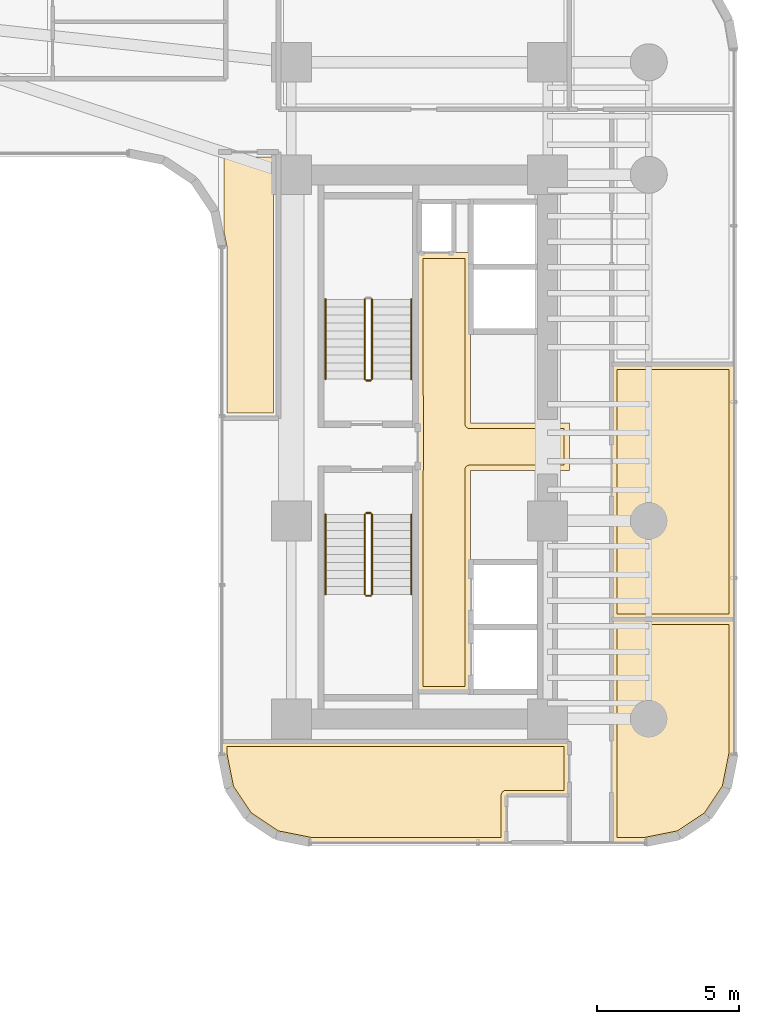
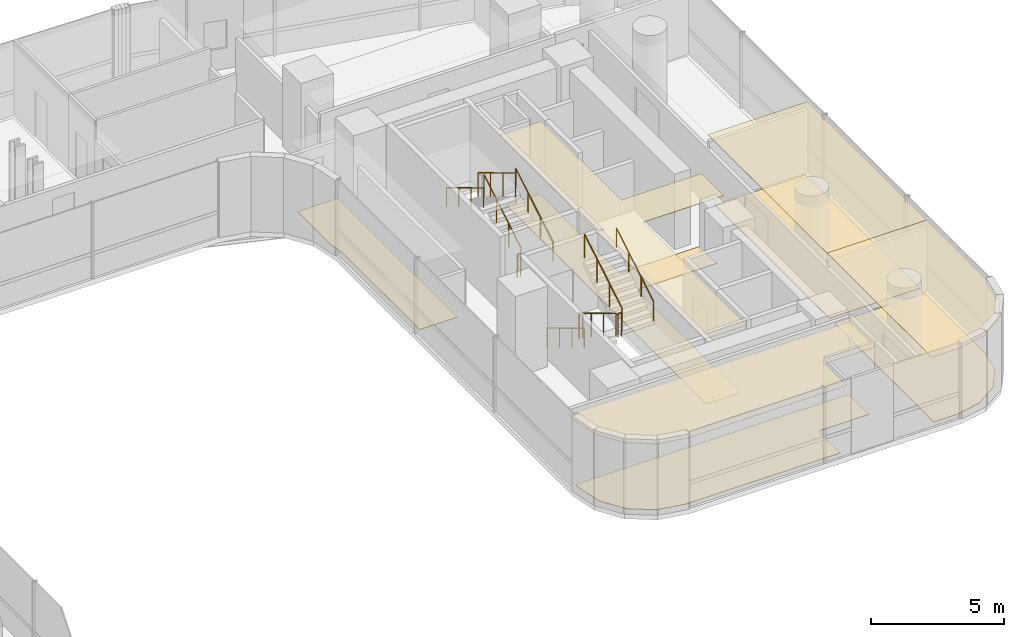
# One storey, part 39 of 42: 11 railings, 9 coverings.
"""IFC4 building model written with IfcOpenShell, lengths in metres."""

from ifc_helpers import new_model, si_unit, direction, frame, origin, origin_2d, place, context, subcontext, project, spatial, polyline, circle, outline, extrude, material, layer, layer_set, type_object, element, save


model = new_model("IFC4")

# Units and contexts
model_context = context("Model", 3, precision=1e-05, world=origin(), true_north=direction((0.0, 1.0)))
body_context = subcontext(model_context, "Body", "Model", "MODEL_VIEW")
ifc_project = project(units=[si_unit("LENGTHUNIT", "METRE"), si_unit("AREAUNIT", "SQUARE_METRE"), si_unit("VOLUMEUNIT", "CUBIC_METRE"), si_unit("PLANEANGLEUNIT", "RADIAN"), si_unit("MASSUNIT", "GRAM", prefix="KILO")], contexts=[model_context])

# Site, building, storey
site_placement = place(None, origin())
site = spatial("IfcSite", under=ifc_project, at=site_placement, CompositionType="ELEMENT")
building_placement = place(site_placement, origin())
building = spatial("IfcBuilding", under=site, at=building_placement, Name="Valdorenza Pilgrim Sanctuary Tower", CompositionType="ELEMENT")
storey_placement = place(building_placement, frame((0.0, 0.0, 55.60009765625)))
storey = spatial("IfcBuildingStorey", under=building, at=storey_placement, Name="L13", CompositionType="ELEMENT", Elevation=55.60009765625)

# Coverings
ifc_material_1 = material(Name="Micro-perforated acoustic mineral ceiling tile", Category="gypsum")
ifc_layer_1 = layer(ifc_material_1, 0.02490234375, Name="Micro-perforated acoustic mineral ceiling tile")
ifc_layer_set_1 = layer_set([ifc_layer_1], Name="Micro-perforated acoustic mineral ceiling tile")
covering_type_1 = type_object("IfcCoveringType", Name="COV-CLG-ACU", PredefinedType="CEILING", material=ifc_layer_set_1)
covering_1_placement = place(storey_placement, frame((0.0, 0.0, 3.159912109375)))
element("IfcCovering", 1, at=covering_1_placement, inside=storey, type_object=covering_type_1, Name="L13 Core B Passenger Lift Lobby Acoustic Ceiling", PredefinedType="CEILING", context=body_context, shape_type="SweptSolid", body=[
    extrude(outline(polyline([(20.287109375, -0.814697265625), (20.287109375, 0.814697265625), (20.28662109375, 0.815185546875), (20.2861328125, 0.81640625), (20.28564453125, 0.81787109375), (20.285400390625, 0.819091796875), (20.28515625, 0.820556640625), (20.284912109375, 0.822021484375), (20.284912109375, 6.800048828125), (20.28515625, 6.801513671875), (20.285400390625, 6.802978515625), (20.28564453125, 6.804443359375), (20.2861328125, 6.8056640625), (20.286865234375, 6.80712890625), (20.28759765625, 6.808349609375), (20.288330078125, 6.8095703125), (20.289306640625, 6.810546875), (20.29052734375, 6.8115234375), (20.291748046875, 6.8125), (20.29296875, 6.813232421875), (20.294189453125, 6.81396484375), (20.295654296875, 6.814453125), (20.297119140625, 6.814697265625), (20.298583984375, 6.81494140625), (20.300048828125, 6.81494140625), (20.347900390625, 6.81494140625), (20.349365234375, 6.81494140625), (20.350830078125, 6.814697265625), (20.352294921875, 6.814453125), (20.353515625, 6.81396484375), (20.35498046875, 6.813232421875), (20.35546875, 6.81298828125), (21.544677734375, 6.81298828125), (21.545166015625, 6.813232421875), (21.54638671875, 6.81396484375), (21.5478515625, 6.814453125), (21.54931640625, 6.814697265625), (21.550537109375, 6.81494140625), (21.552001953125, 6.81494140625), (22.1201171875, 6.81494140625), (22.12158203125, 6.81494140625), (22.122802734375, 6.814697265625), (22.12451171875, 6.814453125), (22.125732421875, 6.81396484375), (22.127197265625, 6.813232421875), (22.12841796875, 6.8125), (22.12939453125, 6.8115234375), (22.130615234375, 6.810546875), (22.131591796875, 6.8095703125), (22.132568359375, 6.808349609375), (22.13330078125, 6.80712890625), (22.1337890625, 6.8056640625), (22.134521484375, 6.804443359375), (22.134765625, 6.802978515625), (22.135009765625, 6.801513671875), (22.135009765625, 6.800048828125), (22.135009765625, 0.8349609375), (25.60009765625, 0.8349609375), (25.6015625, 0.8349609375), (25.602783203125, 0.834716796875), (25.6044921875, 0.83447265625), (25.605712890625, 0.833984375), (25.607177734375, 0.833251953125), (25.6083984375, 0.83251953125), (25.609619140625, 0.83154296875), (25.610595703125, 0.83056640625), (25.611572265625, 0.82958984375), (25.612548828125, 0.828369140625), (25.61328125, 0.8271484375), (25.614013671875, 0.82568359375), (25.614501953125, 0.824462890625), (25.61474609375, 0.822998046875), (25.614990234375, 0.821533203125), (25.614990234375, 0.820068359375), (25.614990234375, -0.820068359375), (25.614990234375, -0.821533203125), (25.61474609375, -0.822998046875), (25.614501953125, -0.824462890625), (25.614013671875, -0.82568359375), (25.61328125, -0.8271484375), (25.612548828125, -0.828369140625), (25.611572265625, -0.82958984375), (25.610595703125, -0.83056640625), (25.609619140625, -0.83154296875), (25.6083984375, -0.83251953125), (25.607177734375, -0.833251953125), (25.605712890625, -0.833984375), (25.6044921875, -0.83447265625), (25.602783203125, -0.834716796875), (25.6015625, -0.8349609375), (25.60009765625, -0.8349609375), (22.135009765625, -0.8349609375), (22.135009765625, -8.60009765625), (22.135009765625, -8.6015625), (22.134765625, -8.602783203125), (22.134521484375, -8.6044921875), (22.1337890625, -8.605712890625), (22.13330078125, -8.607177734375), (22.132568359375, -8.6083984375), (22.131591796875, -8.609619140625), (22.130615234375, -8.610595703125), (22.12939453125, -8.611572265625), (22.12841796875, -8.612548828125), (22.127197265625, -8.61328125), (22.125732421875, -8.614013671875), (22.12451171875, -8.614501953125), (22.122802734375, -8.61474609375), (22.12158203125, -8.614990234375), (22.1201171875, -8.614990234375), (20.300048828125, -8.614990234375), (20.298583984375, -8.614990234375), (20.297119140625, -8.61474609375), (20.295654296875, -8.614501953125), (20.294189453125, -8.614013671875), (20.29296875, -8.61328125), (20.291748046875, -8.612548828125), (20.29052734375, -8.611572265625), (20.289306640625, -8.610595703125), (20.288330078125, -8.609619140625), (20.28759765625, -8.6083984375), (20.286865234375, -8.607177734375), (20.2861328125, -8.605712890625), (20.28564453125, -8.6044921875), (20.285400390625, -8.602783203125), (20.28515625, -8.6015625), (20.284912109375, -8.60009765625), (20.284912109375, -0.822021484375), (20.28515625, -0.820556640625), (20.285400390625, -0.819091796875), (20.28564453125, -0.81787109375), (20.2861328125, -0.81640625), (20.28662109375, -0.815185546875), (20.287109375, -0.814697265625)])), origin(), (0.0, 0.0, 1.0), 0.02490234375),
])
covering_2_placement = place(storey_placement, frame((0.0, 0.0, 3.159912109375)))
element("IfcCovering", 2, at=covering_2_placement, inside=storey, type_object=covering_type_1, Name="L13 East South Guest Room L13-ES1 Acoustic Ceiling", PredefinedType="CEILING", context=body_context, shape_type="SweptSolid", body=[
    extrude(outline(polyline([(23.4130859375, -12.2529296875), (23.4130859375, -13.889892578125), (23.412841796875, -13.8916015625), (23.41259765625, -13.892822265625), (23.412353515625, -13.894287109375), (23.411865234375, -13.895751953125), (23.4111328125, -13.897216796875), (23.410400390625, -13.898193359375), (23.40966796875, -13.8994140625), (23.40869140625, -13.900634765625), (23.407470703125, -13.901611328125), (23.40625, -13.902587890625), (23.405029296875, -13.9033203125), (23.40380859375, -13.90380859375), (23.40234375, -13.904296875), (23.40087890625, -13.90478515625), (23.3994140625, -13.90478515625), (23.39794921875, -13.905029296875), (16.5107421875, -13.905029296875), (16.509521484375, -13.90478515625), (16.5078125, -13.90478515625), (15.3154296875, -13.66748046875), (15.31396484375, -13.6669921875), (15.3125, -13.66650390625), (15.311279296875, -13.666015625), (15.31005859375, -13.665283203125), (14.308349609375, -12.995849609375), (14.30712890625, -12.9951171875), (14.305908203125, -12.993896484375), (14.304931640625, -12.992919921875), (14.30419921875, -12.99169921875), (13.634765625, -11.989990234375), (13.634033203125, -11.98876953125), (13.63330078125, -11.9873046875), (13.6328125, -11.986083984375), (13.632568359375, -11.984619140625), (13.395263671875, -10.7919921875), (13.39501953125, -10.79052734375), (13.39501953125, -10.789306640625), (13.39501953125, -10.35009765625), (13.39501953125, -10.348388671875), (13.395263671875, -10.34716796875), (13.3955078125, -10.345703125), (13.39599609375, -10.34423828125), (13.396728515625, -10.343017578125), (13.3974609375, -10.341796875), (13.3984375, -10.340576171875), (13.3994140625, -10.33935546875), (13.400390625, -10.33837890625), (13.401611328125, -10.33740234375), (13.40283203125, -10.3369140625), (13.404296875, -10.336181640625), (13.405517578125, -10.335693359375), (13.406982421875, -10.335205078125), (13.408447265625, -10.335205078125), (13.409912109375, -10.3349609375), (25.60009765625, -10.3349609375), (25.6015625, -10.335205078125), (25.602783203125, -10.335205078125), (25.6044921875, -10.335693359375), (25.605712890625, -10.336181640625), (25.607177734375, -10.3369140625), (25.6083984375, -10.33740234375), (25.609619140625, -10.33837890625), (25.610595703125, -10.33935546875), (25.611572265625, -10.340576171875), (25.612548828125, -10.341796875), (25.61328125, -10.343017578125), (25.614013671875, -10.34423828125), (25.614501953125, -10.345703125), (25.61474609375, -10.34716796875), (25.614990234375, -10.348388671875), (25.614990234375, -10.35009765625), (25.614990234375, -12.238037109375), (25.614990234375, -12.239501953125), (25.61474609375, -12.240966796875), (25.614501953125, -12.242431640625), (25.614013671875, -12.24365234375), (25.61328125, -12.2451171875), (25.612548828125, -12.246337890625), (25.611572265625, -12.24755859375), (25.610595703125, -12.24853515625), (25.609619140625, -12.24951171875), (25.6083984375, -12.25048828125), (25.607177734375, -12.251220703125), (25.605712890625, -12.251953125), (25.6044921875, -12.25244140625), (25.602783203125, -12.252685546875), (25.6015625, -12.2529296875), (25.60009765625, -12.2529296875), (23.4130859375, -12.2529296875)])), origin(), (0.0, 0.0, 1.0), 0.02490234375),
])
covering_3_placement = place(storey_placement, frame((0.0, 0.0, 3.159912109375)))
element("IfcCovering", 3, at=covering_3_placement, inside=storey, type_object=covering_type_1, Name="L13 East Reading Lounge L13-EB1 Acoustic Ceiling", PredefinedType="CEILING", context=body_context, shape_type="SweptSolid", body=[
    extrude(outline(polyline([(31.389892578125, -6.034912109375), (31.3916015625, -6.03515625), (31.392822265625, -6.035400390625), (31.394287109375, -6.03564453125), (31.395751953125, -6.0361328125), (31.397216796875, -6.036865234375), (31.398193359375, -6.03759765625), (31.3994140625, -6.038330078125), (31.400634765625, -6.039306640625), (31.401611328125, -6.04052734375), (31.402587890625, -6.041748046875), (31.4033203125, -6.04296875), (31.40380859375, -6.044189453125), (31.404296875, -6.045654296875), (31.40478515625, -6.047119140625), (31.40478515625, -6.048583984375), (31.405029296875, -6.050048828125), (31.405029296875, -10.789306640625), (31.40478515625, -10.79052734375), (31.40478515625, -10.7919921875), (31.16748046875, -11.984619140625), (31.1669921875, -11.986083984375), (31.16650390625, -11.9873046875), (31.166015625, -11.98876953125), (31.165283203125, -11.989990234375), (30.495849609375, -12.99169921875), (30.4951171875, -12.992919921875), (30.493896484375, -12.993896484375), (30.492919921875, -12.9951171875), (30.49169921875, -12.995849609375), (29.489990234375, -13.665283203125), (29.48876953125, -13.666015625), (29.4873046875, -13.66650390625), (29.486083984375, -13.6669921875), (29.484619140625, -13.66748046875), (28.2919921875, -13.90478515625), (28.29052734375, -13.90478515625), (28.289306640625, -13.905029296875), (27.10009765625, -13.905029296875), (27.098388671875, -13.90478515625), (27.09716796875, -13.90478515625), (27.095703125, -13.904296875), (27.09423828125, -13.90380859375), (27.093017578125, -13.9033203125), (27.091796875, -13.902587890625), (27.090576171875, -13.901611328125), (27.08935546875, -13.900634765625), (27.08837890625, -13.8994140625), (27.08740234375, -13.898193359375), (27.0869140625, -13.897216796875), (27.086181640625, -13.895751953125), (27.085693359375, -13.894287109375), (27.085205078125, -13.892822265625), (27.085205078125, -13.8916015625), (27.0849609375, -13.889892578125), (27.0849609375, -6.050048828125), (27.085205078125, -6.048583984375), (27.085205078125, -6.047119140625), (27.085693359375, -6.045654296875), (27.086181640625, -6.044189453125), (27.0869140625, -6.04296875), (27.08740234375, -6.041748046875), (27.08837890625, -6.04052734375), (27.08935546875, -6.039306640625), (27.090576171875, -6.038330078125), (27.091796875, -6.03759765625), (27.093017578125, -6.036865234375), (27.09423828125, -6.0361328125), (27.095703125, -6.03564453125), (27.09716796875, -6.035400390625), (27.098388671875, -6.03515625), (27.10009765625, -6.034912109375), (31.389892578125, -6.034912109375)])), origin(), (0.0, 0.0, 1.0), 0.02490234375),
])
covering_4_placement = place(storey_placement, frame((0.0, 0.0, 3.159912109375)))
element("IfcCovering", 4, at=covering_4_placement, inside=storey, type_object=covering_type_1, Name="L13 East Reading Lounge L13-EB2 Acoustic Ceiling", PredefinedType="CEILING", context=body_context, shape_type="SweptSolid", body=[
    extrude(outline(polyline([(27.0849609375, 2.89990234375), (27.085205078125, 2.901611328125), (27.085205078125, 2.90283203125), (27.085693359375, 2.904296875), (27.086181640625, 2.90576171875), (27.0869140625, 2.906982421875), (27.08740234375, 2.908203125), (27.08837890625, 2.909423828125), (27.08935546875, 2.91064453125), (27.090576171875, 2.91162109375), (27.091796875, 2.91259765625), (27.093017578125, 2.9130859375), (27.09423828125, 2.913818359375), (27.095703125, 2.914306640625), (27.09716796875, 2.914794921875), (27.098388671875, 2.914794921875), (27.10009765625, 2.9150390625), (31.389892578125, 2.9150390625), (31.3916015625, 2.914794921875), (31.392822265625, 2.914794921875), (31.394287109375, 2.914306640625), (31.395751953125, 2.913818359375), (31.397216796875, 2.9130859375), (31.398193359375, 2.91259765625), (31.3994140625, 2.91162109375), (31.400634765625, 2.91064453125), (31.401611328125, 2.909423828125), (31.402587890625, 2.908203125), (31.4033203125, 2.906982421875), (31.40380859375, 2.90576171875), (31.404296875, 2.904296875), (31.40478515625, 2.90283203125), (31.40478515625, 2.901611328125), (31.405029296875, 2.89990234375), (31.405029296875, -6.048095703125), (31.40478515625, -6.049560546875), (31.40478515625, -6.05078125), (31.404296875, -6.052490234375), (31.40380859375, -6.0537109375), (31.4033203125, -6.05517578125), (31.402587890625, -6.056396484375), (31.401611328125, -6.0576171875), (31.400634765625, -6.05859375), (31.3994140625, -6.0595703125), (31.398193359375, -6.060546875), (31.397216796875, -6.061279296875), (31.395751953125, -6.06201171875), (31.394287109375, -6.0625), (31.392822265625, -6.062744140625), (31.3916015625, -6.06298828125), (31.389892578125, -6.06298828125), (27.10009765625, -6.06298828125), (27.098388671875, -6.06298828125), (27.09716796875, -6.062744140625), (27.095703125, -6.0625), (27.09423828125, -6.06201171875), (27.093017578125, -6.061279296875), (27.091796875, -6.060546875), (27.090576171875, -6.0595703125), (27.08935546875, -6.05859375), (27.08837890625, -6.0576171875), (27.08740234375, -6.056396484375), (27.0869140625, -6.05517578125), (27.086181640625, -6.0537109375), (27.085693359375, -6.052490234375), (27.085205078125, -6.05078125), (27.085205078125, -6.049560546875), (27.0849609375, -6.048095703125), (27.0849609375, 2.89990234375)])), origin(), (0.0, 0.0, 1.0), 0.02490234375),
])
ifc_material_2 = material(Name="Engineered European oak timber flooring", Category="wood")
ifc_layer_2 = layer(ifc_material_2, 0.02197265625, Name="Engineered European oak timber flooring")
ifc_layer_set_2 = layer_set([ifc_layer_2], Name="Engineered European oak timber flooring")
covering_type_2 = type_object("IfcCoveringType", Name="COV-FLR-OAK", PredefinedType="FLOORING", material=ifc_layer_set_2)
covering_5_placement = place(storey_placement, origin())
element("IfcCovering", 5, at=covering_5_placement, inside=storey, type_object=covering_type_2, Name="L13 East South Guest Room L13-ES1 Flooring", PredefinedType="FLOORING", context=body_context, shape_type="SweptSolid", body=[
    extrude(outline(polyline([(25.419921875, -10.530029296875), (25.419921875, -12.05810546875), (23.39990234375, -12.05810546875), (23.39111328125, -12.05810546875), (23.39111328125, -12.05810546875), (23.373291015625, -12.06005859375), (23.373291015625, -12.06005859375), (23.35595703125, -12.0634765625), (23.355712890625, -12.0634765625), (23.3388671875, -12.068603515625), (23.338623046875, -12.068603515625), (23.322265625, -12.075439453125), (23.322021484375, -12.075439453125), (23.306396484375, -12.083740234375), (23.306396484375, -12.083984375), (23.291748046875, -12.09375), (23.29150390625, -12.093994140625), (23.27783203125, -12.10498046875), (23.277587890625, -12.105224609375), (23.26513671875, -12.11767578125), (23.26513671875, -12.117919921875), (23.25390625, -12.131591796875), (23.25390625, -12.131591796875), (23.243896484375, -12.146484375), (23.243896484375, -12.146484375), (23.235595703125, -12.162109375), (23.2353515625, -12.162353515625), (23.228759765625, -12.1787109375), (23.228515625, -12.1787109375), (23.223388671875, -12.19580078125), (23.223388671875, -12.19580078125), (23.219970703125, -12.213134765625), (23.219970703125, -12.21337890625), (23.21826171875, -12.23095703125), (23.21826171875, -12.231201171875), (23.218017578125, -12.239990234375), (23.218017578125, -13.7099609375), (16.528564453125, -13.7099609375), (15.388671875, -13.483154296875), (14.4462890625, -12.853515625), (13.81689453125, -11.911376953125), (13.590087890625, -10.771484375), (13.590087890625, -10.530029296875), (25.419921875, -10.530029296875)])), origin(), (0.0, 0.0, 1.0), 0.02490234375),
])
ifc_material_3 = material(Name="Honed travertine stone flooring", Category="masonry")
ifc_layer_3 = layer(ifc_material_3, 0.030029296875, Name="Honed travertine stone flooring")
ifc_layer_set_3 = layer_set([ifc_layer_3], Name="Honed travertine stone flooring")
covering_type_3 = type_object("IfcCoveringType", Name="COV-FLR-TRV", PredefinedType="FLOORING", material=ifc_layer_set_3)
covering_6_placement = place(storey_placement, origin())
element("IfcCovering", 6, at=covering_6_placement, inside=storey, type_object=covering_type_3, Name="L13 Core B Passenger Lift Lobby Flooring", PredefinedType="FLOORING", context=body_context, shape_type="SweptSolid", body=[
    extrude(outline(polyline([(20.47998046875, 6.617919921875), (21.550048828125, 6.617919921875), (21.550537109375, 6.617919921875), (21.93994140625, 6.619384765625), (21.93994140625, 0.820068359375), (21.94091796875, 0.802490234375), (21.943603515625, 0.784912109375), (21.94775390625, 0.767578125), (21.95361328125, 0.751220703125), (21.961181640625, 0.735107421875), (21.97021484375, 0.719970703125), (21.98095703125, 0.705810546875), (21.99267578125, 0.692626953125), (22.005859375, 0.680908203125), (22.02001953125, 0.67041015625), (22.03515625, 0.661376953125), (22.051025390625, 0.65380859375), (22.067626953125, 0.647705078125), (22.0849609375, 0.6435546875), (22.102294921875, 0.640869140625), (22.1201171875, 0.639892578125), (25.419921875, 0.639892578125), (25.419921875, -0.639892578125), (22.1201171875, -0.639892578125), (22.102294921875, -0.640869140625), (22.0849609375, -0.6435546875), (22.067626953125, -0.647705078125), (22.051025390625, -0.65380859375), (22.03515625, -0.661376953125), (22.02001953125, -0.67041015625), (22.005859375, -0.680908203125), (21.99267578125, -0.692626953125), (21.98095703125, -0.705810546875), (21.97021484375, -0.719970703125), (21.961181640625, -0.735107421875), (21.95361328125, -0.751220703125), (21.94775390625, -0.767578125), (21.943603515625, -0.784912109375), (21.94091796875, -0.802490234375), (21.93994140625, -0.820068359375), (21.93994140625, -8.419921875), (20.47998046875, -8.419921875), (20.47998046875, -0.846923828125), (20.47998046875, -0.8466796875), (20.47998046875, -0.8466796875), (20.481689453125, -0.8291015625), (20.481689453125, -0.828857421875), (20.48193359375, -0.820068359375), (20.48193359375, 0.820068359375), (20.47998046875, 6.617919921875)])), origin(), (0.0, 0.0, 1.0), 0.02490234375),
])
covering_7_placement = place(storey_placement, origin())
element("IfcCovering", 7, at=covering_7_placement, inside=storey, type_object=covering_type_3, Name="L13 East Reading Lounge L13-EB1 Flooring", PredefinedType="FLOORING", context=body_context, shape_type="SweptSolid", body=[
    extrude(outline(polyline([(31.2099609375, -6.22998046875), (31.2099609375, -10.771484375), (30.983154296875, -11.911376953125), (30.353515625, -12.853515625), (29.411376953125, -13.483154296875), (28.271484375, -13.7099609375), (27.280029296875, -13.7099609375), (27.280029296875, -6.22998046875), (31.2099609375, -6.22998046875)])), origin(), (0.0, 0.0, 1.0), 0.02490234375),
])
covering_8_placement = place(storey_placement, origin())
element("IfcCovering", 8, at=covering_8_placement, inside=storey, type_object=covering_type_3, Name="L13 East Reading Lounge L13-EB2 Flooring", PredefinedType="FLOORING", context=body_context, shape_type="SweptSolid", body=[
    extrude(outline(polyline([(27.280029296875, 2.719970703125), (31.2099609375, 2.719970703125), (31.2099609375, -5.867919921875), (27.280029296875, -5.867919921875), (27.280029296875, 2.719970703125)])), origin(), (0.0, 0.0, 1.0), 0.02490234375),
])
covering_9_placement = place(storey_placement, origin())
element("IfcCovering", 9, at=covering_9_placement, inside=storey, type_object=covering_type_3, Name="L13 Courtyard Overlook Salon L13 Flooring", PredefinedType="FLOORING", context=body_context, shape_type="SweptSolid", body=[
    extrude(outline(polyline([(15.219970703125, 10.169921875), (15.219970703125, 1.179931640625), (13.590087890625, 1.179931640625), (13.590087890625, 7.0), (13.58984375, 7.0087890625), (13.58935546875, 7.01953125), (13.58740234375, 7.037109375), (13.5859375, 7.0478515625), (13.58447265625, 7.056640625), (13.47998046875, 7.58154296875), (13.47998046875, 10.169921875), (15.219970703125, 10.169921875)])), origin(), (0.0, 0.0, 1.0), 0.02490234375),
])

# Railings
ifc_material_4 = material(Name="Stainless steel Grade 316", Category="steel")
railing_type_1 = type_object("IfcRailingType", Name="RLG-GRD-1120", PredefinedType="GUARDRAIL", material=ifc_material_4)
railing_1_placement = place(storey_placement, frame((18.679931640625, 2.3798828125, 0.16796875)))
element("IfcRailing", 10, at=railing_1_placement, inside=storey, type_object=railing_type_1, Name="L13 ST-B1 stair guard 1", PredefinedType="GUARDRAIL", context=body_context, shape_type="SweptSolid", body=[
    extrude(circle(Radius=0.02392578125, at=origin_2d()), frame((0.0, 0.0, 1.076171875), z_axis=(0.0, 0.857242210791, 0.514913383045), x_axis=(-1.0, 0.0, 0.0)), (0.0, 0.0, 1.0), 3.266357421875),
    extrude(circle(Radius=0.02099609375, at=origin_2d()), origin(), (0.0, 0.0, 1.0), 1.052001953125),
    extrude(circle(Radius=0.02099609375, at=origin_2d()), frame((0.0, 0.933349609375, 0.560546875)), (0.0, 0.0, 1.0), 1.052001953125),
    extrude(circle(Radius=0.02099609375, at=origin_2d()), frame((0.0, 1.86669921875, 1.121337890625)), (0.0, 0.0, 1.0), 1.052001953125),
    extrude(circle(Radius=0.02099609375, at=origin_2d()), frame((0.0, 2.800048828125, 1.681884765625)), (0.0, 0.0, 1.0), 1.052001953125),
])
railing_2_placement = place(storey_placement, frame((18.429931640625, 5.179931640625, 2.01806640625)))
element("IfcRailing", 11, at=railing_2_placement, inside=storey, type_object=railing_type_1, Name="L13 ST-B1 stair guard 3", PredefinedType="GUARDRAIL", context=body_context, shape_type="SweptSolid", body=[
    extrude(circle(Radius=0.02392578125, at=origin_2d()), frame((0.0, 0.0, 1.076171875), z_axis=(0.0, -0.857242210791, 0.514913383045), x_axis=(1.0, 0.0, 0.0)), (0.0, 0.0, 1.0), 3.266357421875),
    extrude(circle(Radius=0.02099609375, at=origin_2d()), origin(), (0.0, 0.0, 1.0), 1.052001953125),
    extrude(circle(Radius=0.02099609375, at=origin_2d()), frame((0.0, -0.933349609375, 0.560546875)), (0.0, 0.0, 1.0), 1.052001953125),
    extrude(circle(Radius=0.02099609375, at=origin_2d()), frame((0.0, -1.86669921875, 1.121337890625)), (0.0, 0.0, 1.0), 1.052001953125),
    extrude(circle(Radius=0.02099609375, at=origin_2d()), frame((0.0, -2.800048828125, 1.681884765625)), (0.0, 0.0, 1.0), 1.052001953125),
])
railing_3_placement = place(storey_placement, frame((18.6298828125, 2.330078125, 0.0)))
element("IfcRailing", 12, at=railing_3_placement, inside=storey, type_object=railing_type_1, Name="L13 ST-B1 stair guard 4", PredefinedType="GUARDRAIL", context=body_context, shape_type="SweptSolid", body=[
    extrude(circle(Radius=0.02392578125, at=origin_2d()), frame((0.0, 0.0, 1.076171875), z_axis=(-1.0, 0.0, 0.0), x_axis=(0.0, -1.0, 0.0)), (0.0, 0.0, 1.0), 0.14990234375),
    extrude(circle(Radius=0.02099609375, at=origin_2d()), origin(), (0.0, 0.0, 1.0), 1.052001953125),
    extrude(circle(Radius=0.02099609375, at=origin_2d()), frame((-0.14990234375, 0.0, 0.0)), (0.0, 0.0, 1.0), 1.052001953125),
])
railing_4_placement = place(storey_placement, frame((18.429931640625, -2.3798828125, 0.16796875)))
element("IfcRailing", 13, at=railing_4_placement, inside=storey, type_object=railing_type_1, Name="L13 ST-B2 stair guard 1", PredefinedType="GUARDRAIL", context=body_context, shape_type="SweptSolid", body=[
    extrude(circle(Radius=0.02392578125, at=origin_2d()), frame((0.0, 0.0, 1.076171875), z_axis=(0.0, -0.857242210791, 0.514913383045), x_axis=(1.0, 0.0, 0.0)), (0.0, 0.0, 1.0), 3.266357421875),
    extrude(circle(Radius=0.02099609375, at=origin_2d()), origin(), (0.0, 0.0, 1.0), 1.052001953125),
    extrude(circle(Radius=0.02099609375, at=origin_2d()), frame((0.0, -0.933349609375, 0.560546875)), (0.0, 0.0, 1.0), 1.052001953125),
    extrude(circle(Radius=0.02099609375, at=origin_2d()), frame((0.0, -1.86669921875, 1.121337890625)), (0.0, 0.0, 1.0), 1.052001953125),
    extrude(circle(Radius=0.02099609375, at=origin_2d()), frame((0.0, -2.800048828125, 1.681884765625)), (0.0, 0.0, 1.0), 1.052001953125),
])
railing_5_placement = place(storey_placement, frame((18.47998046875, -5.22998046875, 1.849853515625)))
element("IfcRailing", 14, at=railing_5_placement, inside=storey, type_object=railing_type_1, Name="L13 ST-B2 stair guard 2", PredefinedType="GUARDRAIL", context=body_context, shape_type="SweptSolid", body=[
    extrude(circle(Radius=0.02392578125, at=origin_2d()), frame((0.0, 0.0, 1.076171875), z_axis=(1.0, 0.0, 0.0), x_axis=(0.0, 1.0, 0.0)), (0.0, 0.0, 1.0), 0.14990234375),
    extrude(circle(Radius=0.02099609375, at=origin_2d()), origin(), (0.0, 0.0, 1.0), 1.052001953125),
    extrude(circle(Radius=0.02099609375, at=origin_2d()), frame((0.14990234375, 0.0, 0.0)), (0.0, 0.0, 1.0), 1.052001953125),
])
railing_6_placement = place(storey_placement, frame((18.679931640625, -5.179931640625, 2.01806640625)))
element("IfcRailing", 15, at=railing_6_placement, inside=storey, type_object=railing_type_1, Name="L13 ST-B2 stair guard 3", PredefinedType="GUARDRAIL", context=body_context, shape_type="SweptSolid", body=[
    extrude(circle(Radius=0.02392578125, at=origin_2d()), frame((0.0, 0.0, 1.076171875), z_axis=(0.0, 0.857242210791, 0.514913383045), x_axis=(-1.0, 0.0, 0.0)), (0.0, 0.0, 1.0), 3.266357421875),
    extrude(circle(Radius=0.02099609375, at=origin_2d()), origin(), (0.0, 0.0, 1.0), 1.052001953125),
    extrude(circle(Radius=0.02099609375, at=origin_2d()), frame((0.0, 0.933349609375, 0.560546875)), (0.0, 0.0, 1.0), 1.052001953125),
    extrude(circle(Radius=0.02099609375, at=origin_2d()), frame((0.0, 1.86669921875, 1.121337890625)), (0.0, 0.0, 1.0), 1.052001953125),
    extrude(circle(Radius=0.02099609375, at=origin_2d()), frame((0.0, 2.800048828125, 1.681884765625)), (0.0, 0.0, 1.0), 1.052001953125),
])
railing_7_placement = place(storey_placement, frame((18.47998046875, -2.330078125, 0.0)))
element("IfcRailing", 16, at=railing_7_placement, inside=storey, type_object=railing_type_1, Name="L13 ST-B2 stair guard 4", PredefinedType="GUARDRAIL", context=body_context, shape_type="SweptSolid", body=[
    extrude(circle(Radius=0.02392578125, at=origin_2d()), frame((0.0, 0.0, 1.076171875), z_axis=(1.0, 0.0, 0.0), x_axis=(0.0, 1.0, 0.0)), (0.0, 0.0, 1.0), 0.14990234375),
    extrude(circle(Radius=0.02099609375, at=origin_2d()), origin(), (0.0, 0.0, 1.0), 1.052001953125),
    extrude(circle(Radius=0.02099609375, at=origin_2d()), frame((0.14990234375, 0.0, 0.0)), (0.0, 0.0, 1.0), 1.052001953125),
])
ifc_material_5 = material(Name="Brushed stainless steel Grade 316", Category="steel")
railing_type_2 = type_object("IfcRailingType", Name="RLG-HND-920", PredefinedType="HANDRAIL", material=ifc_material_5)
railing_8_placement = place(storey_placement, frame((20.06005859375, 2.3798828125, 0.16796875)))
element("IfcRailing", 17, at=railing_8_placement, inside=storey, type_object=railing_type_2, Name="L13 ST-B1 stair handrail 1", PredefinedType="HANDRAIL", context=body_context, shape_type="SweptSolid", body=[
    extrude(circle(Radius=0.02392578125, at=origin_2d()), frame((0.0, 0.0, 0.8759765625), z_axis=(0.0, 0.857242210791, 0.514913383045), x_axis=(-1.0, 0.0, 0.0)), (0.0, 0.0, 1.0), 3.266357421875),
    extrude(circle(Radius=0.02099609375, at=origin_2d()), origin(), (0.0, 0.0, 1.0), 0.851806640625),
    extrude(circle(Radius=0.02099609375, at=origin_2d()), frame((0.0, 0.933349609375, 0.560546875)), (0.0, 0.0, 1.0), 0.851806640625),
    extrude(circle(Radius=0.02099609375, at=origin_2d()), frame((0.0, 1.86669921875, 1.121337890625)), (0.0, 0.0, 1.0), 0.851806640625),
    extrude(circle(Radius=0.02099609375, at=origin_2d()), frame((0.0, 2.800048828125, 1.681884765625)), (0.0, 0.0, 1.0), 0.851806640625),
])
for number, where, name in (
    (18, (17.050048828125, 5.179931640625, 2.01806640625), "L13 ST-B1 stair handrail 2"),
    (19, (17.050048828125, -2.3798828125, 0.16796875), "L13 ST-B2 stair handrail 1"),
):
    element("IfcRailing", number, at=place(storey_placement, frame(where)), inside=storey, type_object=railing_type_2, Name=name, PredefinedType="HANDRAIL", context=body_context, shape_type="SweptSolid", body=[
        extrude(circle(Radius=0.02392578125, at=origin_2d()), frame((0.0, 0.0, 0.8759765625), z_axis=(0.0, -0.857242210791, 0.514913383045), x_axis=(1.0, 0.0, 0.0)), (0.0, 0.0, 1.0), 3.266357421875),
        extrude(circle(Radius=0.02099609375, at=origin_2d()), origin(), (0.0, 0.0, 1.0), 0.851806640625),
        extrude(circle(Radius=0.02099609375, at=origin_2d()), frame((0.0, -0.933349609375, 0.560546875)), (0.0, 0.0, 1.0), 0.851806640625),
        extrude(circle(Radius=0.02099609375, at=origin_2d()), frame((0.0, -1.86669921875, 1.121337890625)), (0.0, 0.0, 1.0), 0.851806640625),
        extrude(circle(Radius=0.02099609375, at=origin_2d()), frame((0.0, -2.800048828125, 1.681884765625)), (0.0, 0.0, 1.0), 0.851806640625),
    ])
railing_9_placement = place(storey_placement, frame((20.06005859375, -5.179931640625, 2.01806640625)))
element("IfcRailing", 20, at=railing_9_placement, inside=storey, type_object=railing_type_2, Name="L13 ST-B2 stair handrail 2", PredefinedType="HANDRAIL", context=body_context, shape_type="SweptSolid", body=[
    extrude(circle(Radius=0.02392578125, at=origin_2d()), frame((0.0, 0.0, 0.8759765625), z_axis=(0.0, 0.857242210791, 0.514913383045), x_axis=(-1.0, 0.0, 0.0)), (0.0, 0.0, 1.0), 3.266357421875),
    extrude(circle(Radius=0.02099609375, at=origin_2d()), origin(), (0.0, 0.0, 1.0), 0.851806640625),
    extrude(circle(Radius=0.02099609375, at=origin_2d()), frame((0.0, 0.933349609375, 0.560546875)), (0.0, 0.0, 1.0), 0.851806640625),
    extrude(circle(Radius=0.02099609375, at=origin_2d()), frame((0.0, 1.86669921875, 1.121337890625)), (0.0, 0.0, 1.0), 0.851806640625),
    extrude(circle(Radius=0.02099609375, at=origin_2d()), frame((0.0, 2.800048828125, 1.681884765625)), (0.0, 0.0, 1.0), 0.851806640625),
])

save(model, "model.ifc")
